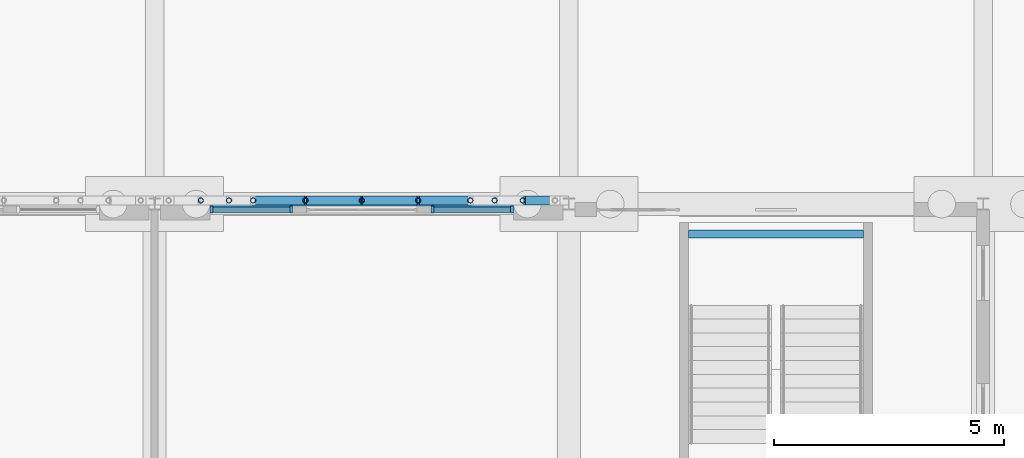
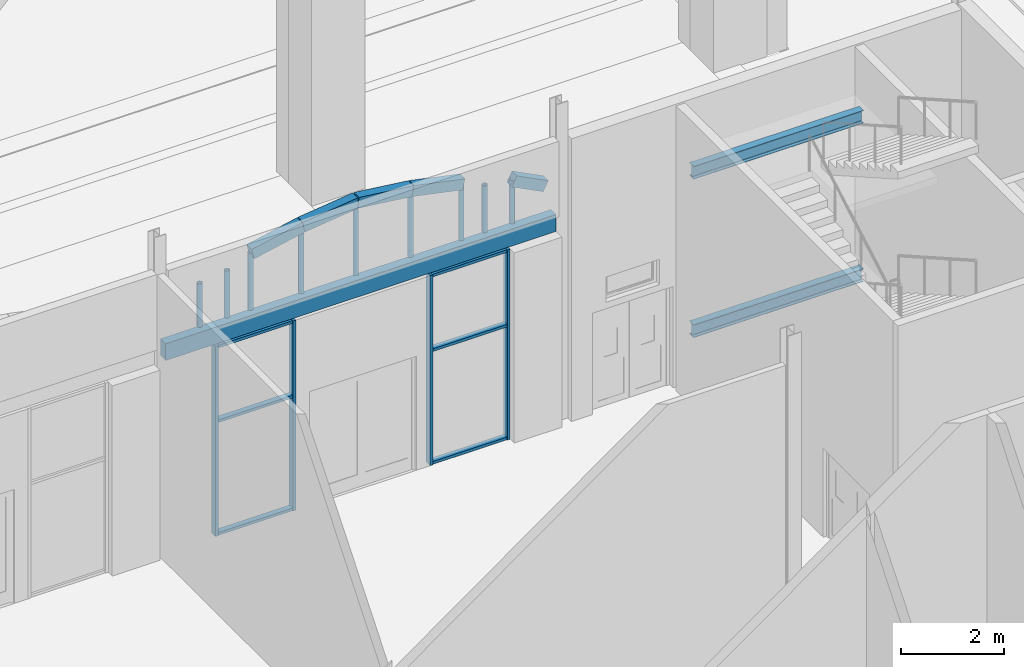
# One storey, part 62 of 250: 19 members, 8 beams, 2 elements without a shape of their own.
"""IFC4 building model written with IfcOpenShell, lengths in metres."""

from ifc_helpers import new_model, si_unit, direction, frame, origin, origin_2d, place, context, subcontext, project, spatial, rectangle, hollow_circle, i_section, extrude, material, material_profile, profile_set, type_object, element, aggregate, save


model = new_model("IFC4")

# Units and contexts
model_context = context("Model", 3, precision=1e-05, world=origin(), true_north=direction((0.0, 1.0)))
body_context = subcontext(model_context, "Body", "Model", "MODEL_VIEW")
ifc_project = project(units=[si_unit("LENGTHUNIT", "METRE"), si_unit("AREAUNIT", "SQUARE_METRE"), si_unit("VOLUMEUNIT", "CUBIC_METRE"), si_unit("PLANEANGLEUNIT", "RADIAN"), si_unit("MASSUNIT", "GRAM", prefix="KILO")], contexts=[model_context])

# Site, building, storey
site_placement = place(None, origin())
site = spatial("IfcSite", under=ifc_project, at=site_placement, CompositionType="ELEMENT")
building_placement = place(site_placement, origin())
building = spatial("IfcBuilding", under=site, at=building_placement, Name="Baradari Gate Terminus", CompositionType="ELEMENT")
storey_placement = place(building_placement, origin())
storey = spatial("IfcBuildingStorey", under=building, at=storey_placement, Name="L00", CompositionType="ELEMENT", Elevation=0.0)

# Members
ifc_material_1 = material(Name="Steel S355", Category="steel")
ifc_material_profile_1 = material_profile(ifc_material_1, hollow_circle(Radius=0.05712890625, WallThickness=0.00634765625, at=origin_2d()), Name="CHS 114.3x6.3")
ifc_profile_set_1 = profile_set([ifc_material_profile_1], Name="Steel S355")
member_type_1 = type_object("IfcMemberType", Name="Arcade arch post SP-2 114x6.3", PredefinedType="POST", material=ifc_profile_set_1)
member_1_placement = place(storey_placement, frame((226.00244140625, 108.07861328125, 4.89990234375), z_axis=(0.0, 0.0, 1.0), x_axis=(1.0, 0.0, 0.0)))
element("IfcMember", 1, at=member_1_placement, inside=storey, type_object=member_type_1, Name="Arcade arch post 25.3", PredefinedType="POST", context=body_context, shape_type="SweptSolid", body=[
    extrude(hollow_circle(Radius=0.05712890625, WallThickness=0.00634765625, at=origin_2d()), origin(), (0.0, 0.0, 1.0), 1.02587890625),
])
member_2_placement = place(storey_placement, frame((226.614501953125, 108.07861328125, 4.89990234375), z_axis=(0.0, 0.0, 1.0), x_axis=(1.0, 0.0, 0.0)))
element("IfcMember", 2, at=member_2_placement, inside=storey, type_object=member_type_1, Name="Arcade arch post 25.4", PredefinedType="POST", context=body_context, shape_type="SweptSolid", body=[
    extrude(hollow_circle(Radius=0.05712890625, WallThickness=0.00634765625, at=origin_2d()), origin(), (0.0, 0.0, 1.0), 1.115478515625),
])
member_3_placement = place(storey_placement, frame((227.13916015625, 108.07861328125, 4.89990234375), z_axis=(0.0, 0.0, 1.0), x_axis=(1.0, 0.0, 0.0)))
element("IfcMember", 3, at=member_3_placement, inside=storey, type_object=member_type_1, Name="Arcade arch post 25.5", PredefinedType="POST", context=body_context, shape_type="SweptSolid", body=[
    extrude(hollow_circle(Radius=0.05712890625, WallThickness=0.00634765625, at=origin_2d()), origin(), (0.0, 0.0, 1.0), 1.354248046875),
])
member_4_placement = place(storey_placement, frame((228.27587890625, 108.07861328125, 4.89990234375), z_axis=(0.0, 0.0, 1.0), x_axis=(1.0, 0.0, 0.0)))
element("IfcMember", 4, at=member_4_placement, inside=storey, type_object=member_type_1, Name="Arcade arch post 25.6", PredefinedType="POST", context=body_context, shape_type="SweptSolid", body=[
    extrude(hollow_circle(Radius=0.05712890625, WallThickness=0.00634765625, at=origin_2d()), origin(), (0.0, 0.0, 1.0), 1.593017578125),
])
member_5_placement = place(storey_placement, frame((229.5, 108.07861328125, 4.89990234375), z_axis=(0.0, 0.0, 1.0), x_axis=(1.0, 0.0, 0.0)))
element("IfcMember", 5, at=member_5_placement, inside=storey, type_object=member_type_1, Name="Arcade arch post 25.7", PredefinedType="POST", context=body_context, shape_type="SweptSolid", body=[
    extrude(hollow_circle(Radius=0.05712890625, WallThickness=0.00634765625, at=origin_2d()), origin(), (0.0, 0.0, 1.0), 1.7421875),
])
member_6_placement = place(storey_placement, frame((230.72412109375, 108.07861328125, 4.89990234375), z_axis=(0.0, 0.0, 1.0), x_axis=(1.0, 0.0, 0.0)))
element("IfcMember", 6, at=member_6_placement, inside=storey, type_object=member_type_1, Name="Arcade arch post 25.8", PredefinedType="POST", context=body_context, shape_type="SweptSolid", body=[
    extrude(hollow_circle(Radius=0.05712890625, WallThickness=0.00634765625, at=origin_2d()), origin(), (0.0, 0.0, 1.0), 1.593017578125),
])
member_7_placement = place(storey_placement, frame((231.86083984375, 108.07861328125, 4.89990234375), z_axis=(0.0, 0.0, 1.0), x_axis=(1.0, 0.0, 0.0)))
element("IfcMember", 7, at=member_7_placement, inside=storey, type_object=member_type_1, Name="Arcade arch post 25.9", PredefinedType="POST", context=body_context, shape_type="SweptSolid", body=[
    extrude(hollow_circle(Radius=0.05712890625, WallThickness=0.00634765625, at=origin_2d()), origin(), (0.0, 0.0, 1.0), 1.354248046875),
])
member_8_placement = place(storey_placement, frame((232.385498046875, 108.07861328125, 4.89990234375), z_axis=(0.0, 0.0, 1.0), x_axis=(1.0, 0.0, 0.0)))
element("IfcMember", 8, at=member_8_placement, inside=storey, type_object=member_type_1, Name="Arcade arch post 25.10", PredefinedType="POST", context=body_context, shape_type="SweptSolid", body=[
    extrude(hollow_circle(Radius=0.05712890625, WallThickness=0.00634765625, at=origin_2d()), origin(), (0.0, 0.0, 1.0), 1.115478515625),
])
member_9_placement = place(storey_placement, frame((232.99755859375, 108.07861328125, 4.89990234375), z_axis=(0.0, 0.0, 1.0), x_axis=(1.0, 0.0, 0.0)))
element("IfcMember", 9, at=member_9_placement, inside=storey, type_object=member_type_1, Name="Arcade arch post 25.11", PredefinedType="POST", context=body_context, shape_type="SweptSolid", body=[
    extrude(hollow_circle(Radius=0.05712890625, WallThickness=0.00634765625, at=origin_2d()), origin(), (0.0, 0.0, 1.0), 1.02587890625),
])

# Beams
ifc_material_2 = material(Name="Concrete C40/50 precast", Category="concrete")
ifc_material_profile_2 = material_profile(ifc_material_2, rectangle(XDim=0.199951171875, YDim=0.25, at=origin_2d()), Name="AB-1 200X250")
ifc_profile_set_2 = profile_set([ifc_material_profile_2], Name="Concrete C40/50 precast")
beam_type_1 = type_object("IfcBeamType", Name="Arcade arch segment AB-1 200x250", PredefinedType="BEAM", material=ifc_profile_set_2)
beam_1_placement = place(storey_placement, frame((227.13916015625, 108.07861328125, 6.254150390625), z_axis=(0.978643349291, 0.0, 0.205565548885), x_axis=(0.0, 1.0, 0.0)))
element("IfcBeam", 10, at=beam_1_placement, inside=storey, type_object=beam_type_1, Name="Arcade arch AB-1 bay 25 segment 5", PredefinedType="BEAM", context=body_context, shape_type="SweptSolid", body=[
    extrude(rectangle(XDim=0.199951171875, YDim=0.25, at=origin_2d()), origin(), (0.0, 0.0, 1.0), 1.16162109375),
])
for number, where, z_axis, x_axis, name in (
    (11, (228.27587890625, 108.07861328125, 6.492919921875), (0.992656897947, 0.0, 0.120963973802), (0.0, 1.0, 0.0), "Arcade arch AB-1 bay 25 segment 6"),
    (12, (229.5, 108.07861328125, 6.64208984375), (0.992656897947, 0.0, -0.120963973802), (0.0, 1.0, 0.0), "Arcade arch AB-1 bay 25 segment 7"),
):
    element("IfcBeam", number, at=place(storey_placement, frame(where, z_axis=z_axis, x_axis=x_axis)), inside=storey, type_object=beam_type_1, Name=name, PredefinedType="BEAM", context=body_context, shape_type="SweptSolid", body=[
        extrude(rectangle(XDim=0.199951171875, YDim=0.25, at=origin_2d()), origin(), (0.0, 0.0, 1.0), 1.233154296875),
    ])
beam_2_placement = place(storey_placement, frame((230.72412109375, 108.07861328125, 6.492919921875), z_axis=(0.978643349291, 0.0, -0.205565548885), x_axis=(0.0, 1.0, 0.0)))
element("IfcBeam", 13, at=beam_2_placement, inside=storey, type_object=beam_type_1, Name="Arcade arch AB-1 bay 25 segment 8", PredefinedType="BEAM", context=body_context, shape_type="SweptSolid", body=[
    extrude(rectangle(XDim=0.199951171875, YDim=0.25, at=origin_2d()), origin(), (0.0, 0.0, 1.0), 1.16162109375),
])
beam_3_placement = place(storey_placement, frame((232.99755859375, 108.07861328125, 5.92578125), z_axis=(0.89022472097, 0.0, -0.455521619875), x_axis=(0.0, 1.0, 0.0)))
element("IfcBeam", 14, at=beam_3_placement, inside=storey, type_object=beam_type_1, Name="Arcade arch AB-1 bay 25 segment 11", PredefinedType="BEAM", context=body_context, shape_type="SweptSolid", body=[
    extrude(rectangle(XDim=0.199951171875, YDim=0.25, at=origin_2d()), origin(), (0.0, 0.0, 1.0), 0.78564453125),
])
ifc_material_3 = material(Name="Concrete C50/60 precast", Category="concrete")
ifc_material_profile_3 = material_profile(ifc_material_3, rectangle(XDim=0.199951171875, YDim=0.39990234375, at=origin_2d()), Name="LB-1 200X400")
ifc_profile_set_3 = profile_set([ifc_material_profile_3], Name="Concrete C50/60 precast")
beam_type_2 = type_object("IfcBeamType", Name="Arcade lintel LB-1 200x400", PredefinedType="LINTEL", material=ifc_profile_set_3)
beam_4_placement = place(storey_placement, frame((225.128173828125, 107.978515625, 4.699951171875), z_axis=(1.0, 0.0, 0.0), x_axis=(0.0, 1.0, 0.0)))
element("IfcBeam", 15, at=beam_4_placement, inside=storey, type_object=beam_type_2, Name="Arcade lintel LB-1 bay 25", PredefinedType="LINTEL", context=body_context, shape_type="SweptSolid", body=[
    extrude(rectangle(XDim=0.199951171875, YDim=0.39990234375, at=origin_2d()), origin(), (0.0, 0.0, 1.0), 8.74365234375),
])

# Curtain wall, members
ifc_material_4 = material(Name="Aluminium 6063-T6", Category="aluminium")
curtain_wall_type = type_object("IfcCurtainWallType", Name="Curtain wall CW-2 shopfront", PredefinedType="NOTDEFINED", material=ifc_material_4)
curtain_wall_1_placement = place(storey_placement, origin())
curtain_wall_1 = element("IfcCurtainWall", 16, at=curtain_wall_1_placement, inside=storey, type_object=curtain_wall_type, Name="Shopfront curtain wall CW-2 HN bay 25 L00", PredefinedType="NOTDEFINED")
ifc_material_5 = material(Name="Aluminium 6063-T6", Category="aluminium")
ifc_material_profile_4 = material_profile(ifc_material_5, rectangle(XDim=0.14990234375, YDim=0.06494140625, at=origin_2d()), Name="CM-2 65X150")
ifc_profile_set_4 = profile_set([ifc_material_profile_4], Name="Aluminium 6063-T6")
member_type_2 = type_object("IfcMemberType", Name="Curtain wall mullion CM-2 65x150", PredefinedType="MULLION", material=ifc_profile_set_4)
member_10_placement = place(storey_placement, frame((226.232421875, 107.87841796875, 0.0), z_axis=(0.0, 0.0, 1.0), x_axis=(0.0, 1.0, 0.0)))
member_10 = element("IfcMember", 17, at=member_10_placement, type_object=member_type_2, Name="CW-2 mullion 1", PredefinedType="MULLION", context=body_context, shape_type="SweptSolid", body=[
    extrude(rectangle(XDim=0.14990234375, YDim=0.06494140625, at=origin_2d()), origin(), (0.0, 0.0, 1.0), 4.5),
])
member_11_placement = place(storey_placement, frame((227.967529296875, 107.87841796875, 0.0), z_axis=(0.0, 0.0, 1.0), x_axis=(0.0, 1.0, 0.0)))
member_11 = element("IfcMember", 18, at=member_11_placement, type_object=member_type_2, Name="CW-2 mullion 2", PredefinedType="MULLION", context=body_context, shape_type="SweptSolid", body=[
    extrude(rectangle(XDim=0.14990234375, YDim=0.06494140625, at=origin_2d()), origin(), (0.0, 0.0, 1.0), 4.5),
])

curtain_wall_2_placement = place(storey_placement, origin())
curtain_wall_2 = element("IfcCurtainWall", 19, at=curtain_wall_2_placement, inside=storey, type_object=curtain_wall_type, Name="Shopfront curtain wall CW-2 HN bay 25 L00", PredefinedType="NOTDEFINED")
member_12_placement = place(storey_placement, frame((231.032470703125, 107.87841796875, 0.0), z_axis=(0.0, 0.0, 1.0), x_axis=(0.0, 1.0, 0.0)))
member_12 = element("IfcMember", 20, at=member_12_placement, type_object=member_type_2, Name="CW-2 mullion 1", PredefinedType="MULLION", context=body_context, shape_type="SweptSolid", body=[
    extrude(rectangle(XDim=0.14990234375, YDim=0.06494140625, at=origin_2d()), origin(), (0.0, 0.0, 1.0), 4.5),
])
member_13_placement = place(storey_placement, frame((232.767578125, 107.87841796875, 0.0), z_axis=(0.0, 0.0, 1.0), x_axis=(0.0, 1.0, 0.0)))
member_13 = element("IfcMember", 21, at=member_13_placement, type_object=member_type_2, Name="CW-2 mullion 2", PredefinedType="MULLION", context=body_context, shape_type="SweptSolid", body=[
    extrude(rectangle(XDim=0.14990234375, YDim=0.06494140625, at=origin_2d()), origin(), (0.0, 0.0, 1.0), 4.5),
])

# Member
ifc_material_6 = material(Name="Aluminium 6063-T6", Category="aluminium")
ifc_material_profile_5 = material_profile(ifc_material_6, rectangle(XDim=0.1201171875, YDim=0.06494140625, at=origin_2d()), Name="CT-2 65X120")
ifc_profile_set_5 = profile_set([ifc_material_profile_5], Name="Aluminium 6063-T6")
member_type_3 = type_object("IfcMemberType", Name="Curtain wall transom CT-2 65x120", PredefinedType="USERDEFINED", material=ifc_profile_set_5)
member_14_placement = place(storey_placement, frame((226.264892578125, 107.87841796875, 0.032470703125), z_axis=(1.0, 0.0, 0.0), x_axis=(0.0, 1.0, 0.0)))
member_14 = element("IfcMember", 22, at=member_14_placement, type_object=member_type_3, Name="CW-2 transom 1.1", ObjectType="TRANSOM", PredefinedType="USERDEFINED", context=body_context, shape_type="SweptSolid", body=[
    extrude(rectangle(XDim=0.1201171875, YDim=0.06494140625, at=origin_2d()), origin(), (0.0, 0.0, 1.0), 1.670166015625),
])

member_15_placement = place(storey_placement, frame((226.264892578125, 107.87841796875, 2.699951171875), z_axis=(1.0, 0.0, 0.0), x_axis=(0.0, 1.0, 0.0)))
member_15 = element("IfcMember", 23, at=member_15_placement, type_object=member_type_3, Name="CW-2 transom 1.2", ObjectType="TRANSOM", PredefinedType="USERDEFINED", context=body_context, shape_type="SweptSolid", body=[
    extrude(rectangle(XDim=0.1201171875, YDim=0.06494140625, at=origin_2d()), origin(), (0.0, 0.0, 1.0), 1.670166015625),
])

member_16_placement = place(storey_placement, frame((226.264892578125, 107.87841796875, 4.467529296875), z_axis=(1.0, 0.0, 0.0), x_axis=(0.0, 1.0, 0.0)))
member_16 = element("IfcMember", 24, at=member_16_placement, type_object=member_type_3, Name="CW-2 transom 1.3", ObjectType="TRANSOM", PredefinedType="USERDEFINED", context=body_context, shape_type="SweptSolid", body=[
    extrude(rectangle(XDim=0.1201171875, YDim=0.06494140625, at=origin_2d()), origin(), (0.0, 0.0, 1.0), 1.670166015625),
])

aggregate(curtain_wall_1, [member_10, member_11, member_14, member_15, member_16])

member_17_placement = place(storey_placement, frame((231.06494140625, 107.87841796875, 0.032470703125), z_axis=(1.0, 0.0, 0.0), x_axis=(0.0, 1.0, 0.0)))
member_17 = element("IfcMember", 25, at=member_17_placement, type_object=member_type_3, Name="CW-2 transom 1.1", ObjectType="TRANSOM", PredefinedType="USERDEFINED", context=body_context, shape_type="SweptSolid", body=[
    extrude(rectangle(XDim=0.1201171875, YDim=0.06494140625, at=origin_2d()), origin(), (0.0, 0.0, 1.0), 1.670166015625),
])

member_18_placement = place(storey_placement, frame((231.06494140625, 107.87841796875, 2.699951171875), z_axis=(1.0, 0.0, 0.0), x_axis=(0.0, 1.0, 0.0)))
member_18 = element("IfcMember", 26, at=member_18_placement, type_object=member_type_3, Name="CW-2 transom 1.2", ObjectType="TRANSOM", PredefinedType="USERDEFINED", context=body_context, shape_type="SweptSolid", body=[
    extrude(rectangle(XDim=0.1201171875, YDim=0.06494140625, at=origin_2d()), origin(), (0.0, 0.0, 1.0), 1.670166015625),
])

member_19_placement = place(storey_placement, frame((231.06494140625, 107.87841796875, 4.467529296875), z_axis=(1.0, 0.0, 0.0), x_axis=(0.0, 1.0, 0.0)))
member_19 = element("IfcMember", 27, at=member_19_placement, type_object=member_type_3, Name="CW-2 transom 1.3", ObjectType="TRANSOM", PredefinedType="USERDEFINED", context=body_context, shape_type="SweptSolid", body=[
    extrude(rectangle(XDim=0.1201171875, YDim=0.06494140625, at=origin_2d()), origin(), (0.0, 0.0, 1.0), 1.670166015625),
])

aggregate(curtain_wall_2, [member_12, member_13, member_17, member_18, member_19])

# Beams
ifc_material_7 = material(Name="Steel S355", Category="steel")
ifc_material_profile_6 = material_profile(ifc_material_7, i_section(OverallWidth=0.1650390625, OverallDepth=0.303466796875, WebThickness=0.006103515625, FlangeThickness=0.01025390625, FilletRadius=0.0087890625, at=origin_2d()), Name="UB 305x165x40")
ifc_profile_set_6 = profile_set([ifc_material_profile_6], Name="Steel S355")
beam_type_3 = type_object("IfcBeamType", Name="Landing beam B71 UB 305x165x40", PredefinedType="BEAM", material=ifc_profile_set_6)
beam_5_placement = place(storey_placement, frame((236.60009765625, 107.35009765625, 1.54833984375), z_axis=(1.0, 0.0, 0.0), x_axis=(0.0, 1.0, 0.0)))
element("IfcBeam", 28, at=beam_5_placement, inside=storey, type_object=beam_type_3, Name="B71 landing beam ST-H4/L1", PredefinedType="BEAM", context=body_context, shape_type="SweptSolid", body=[
    extrude(i_section(OverallWidth=0.1650390625, OverallDepth=0.303466796875, WebThickness=0.006103515625, FlangeThickness=0.01025390625, FilletRadius=0.0087890625, at=origin_2d()), origin(), (0.0, 0.0, 1.0), 3.7998046875),
])
ifc_material_8 = material(Name="Steel S355", Category="steel")
ifc_material_profile_7 = material_profile(ifc_material_8, i_section(OverallWidth=0.1650390625, OverallDepth=0.303466796875, WebThickness=0.006103515625, FlangeThickness=0.01025390625, FilletRadius=0.0087890625, at=origin_2d()), Name="UB 305x165x40")
ifc_profile_set_7 = profile_set([ifc_material_profile_7], Name="Steel S355")
beam_type_4 = type_object("IfcBeamType", Name="Landing beam B72 UB 305x165x40", PredefinedType="BEAM", material=ifc_profile_set_7)
beam_6_placement = place(storey_placement, frame((236.60009765625, 107.35009765625, 5.29833984375), z_axis=(1.0, 0.0, 0.0), x_axis=(0.0, 1.0, 0.0)))
element("IfcBeam", 29, at=beam_6_placement, inside=storey, type_object=beam_type_4, Name="B72 landing beam ST-H4/L3", PredefinedType="BEAM", context=body_context, shape_type="SweptSolid", body=[
    extrude(i_section(OverallWidth=0.1650390625, OverallDepth=0.303466796875, WebThickness=0.006103515625, FlangeThickness=0.01025390625, FilletRadius=0.0087890625, at=origin_2d()), origin(), (0.0, 0.0, 1.0), 3.7998046875),
])

save(model, "model.ifc")
